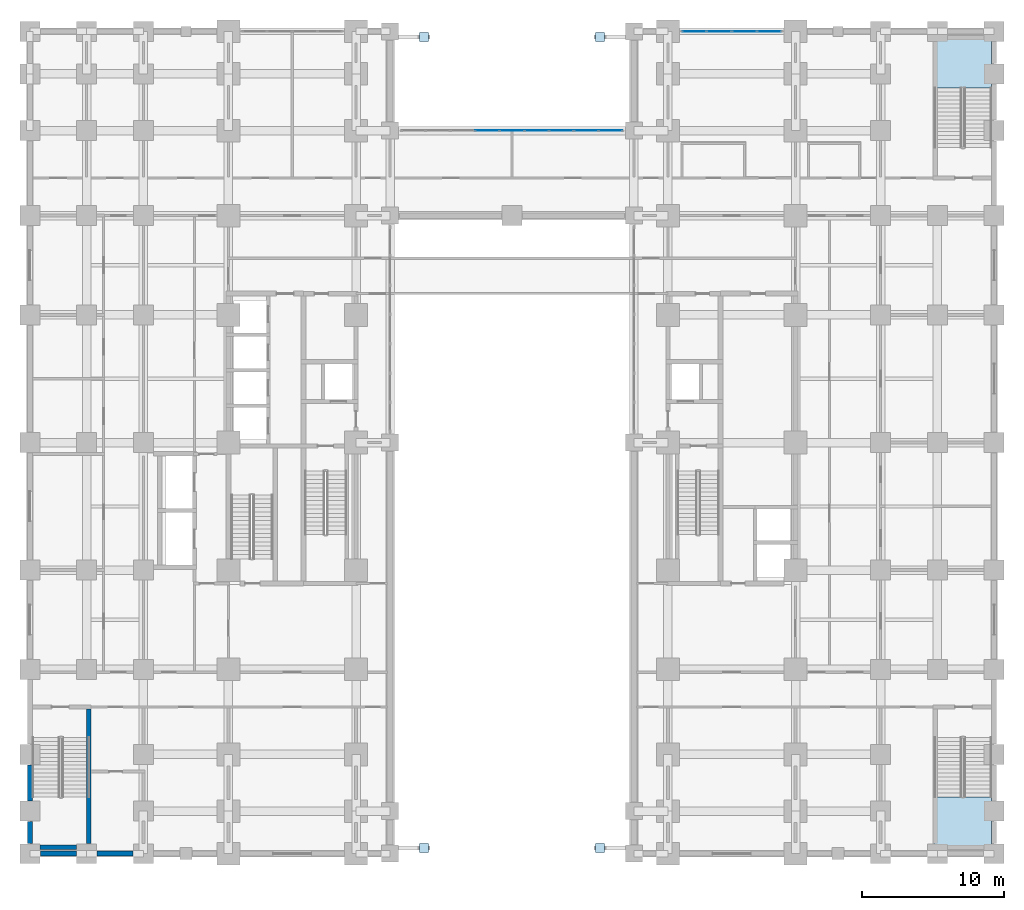
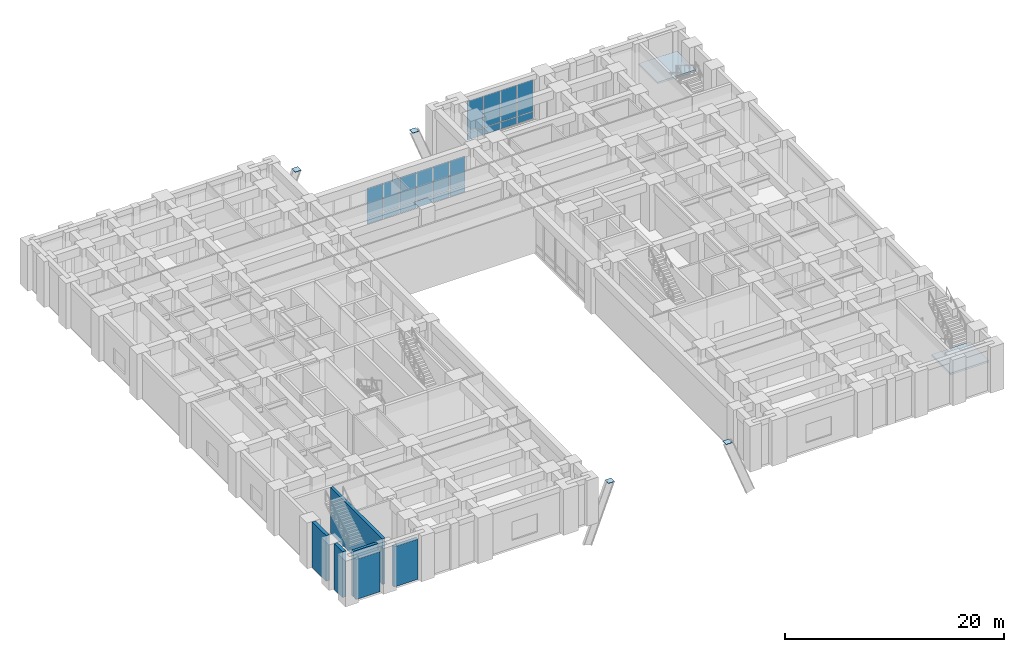
# One storey, part 9 of 23: 24 plates, 6 walls, 2 slabs, 4 elements without a shape of their own.
"""IFC4 building model written with IfcOpenShell, lengths in metres."""

from ifc_helpers import new_model, si_unit, direction, frame, frame_2d, origin, origin_2d, place, context, subcontext, project, spatial, polyline, rectangle, outline, extrude, material, layer, layer_set, type_object, element, aggregate, save


model = new_model("IFC4")

# Units and contexts
model_context = context("Model", 3, precision=1e-05, world=origin(), true_north=direction((0.0, 1.0)))
body_context = subcontext(model_context, "Body", "Model", "MODEL_VIEW")
ifc_project = project(units=[si_unit("LENGTHUNIT", "METRE"), si_unit("AREAUNIT", "SQUARE_METRE"), si_unit("VOLUMEUNIT", "CUBIC_METRE"), si_unit("PLANEANGLEUNIT", "RADIAN"), si_unit("MASSUNIT", "GRAM", prefix="KILO")], contexts=[model_context])

# Site, building, storey
site_placement = place(None, origin())
site = spatial("IfcSite", under=ifc_project, at=site_placement, CompositionType="ELEMENT")
building_placement = place(site_placement, origin())
building = spatial("IfcBuilding", under=site, at=building_placement, Name="Zulmaris Gate Convention Tower", CompositionType="ELEMENT")
storey_placement = place(building_placement, frame((0.0, 0.0, 10.8798828125)))
storey = spatial("IfcBuildingStorey", under=building, at=storey_placement, Name="L02", CompositionType="ELEMENT", Elevation=10.8798828125)

# Curtain wall, plates
ifc_material_1 = material(Name="Anodised Aluminium", Category="aluminium")
curtain_wall_type = type_object("IfcCurtainWallType", Name="CW-03", PredefinedType="NOTDEFINED", material=ifc_material_1)
curtain_wall_1_placement = place(storey_placement, origin())
curtain_wall_1 = element("IfcCurtainWall", 1, at=curtain_wall_1_placement, inside=storey, type_object=curtain_wall_type, Name="CW-03 CW03-L02-N11_0", PredefinedType="NOTDEFINED")
ifc_material_2 = material(Name="Low-E Double Glazing", Category="glass")
ifc_layer_1 = layer(ifc_material_2, 0.028076171875, Name="Low-E Double Glazing")
ifc_layer_set_1 = layer_set([ifc_layer_1], Name="Low-E Double Glazing")
plate_type_1 = type_object("IfcPlateType", Name="CW-03-VISION", PredefinedType="CURTAIN_PANEL", material=ifc_layer_set_1)
plate_1_placement = place(storey_placement, frame((18.13623046875, 29.0, 0.0751953125), z_axis=(0.0, 0.0, 1.0), x_axis=(-1.0, 0.0, 0.0)))
plate_1 = element("IfcPlate", 2, at=plate_1_placement, type_object=plate_type_1, Name="CW-03 panel 1.1", PredefinedType="CURTAIN_PANEL", context=body_context, shape_type="SweptSolid", body=[
    extrude(rectangle(XDim=1.657470703125, YDim=0.028076171875, at=origin_2d()), origin(), (0.0, 0.0, 1.0), 0.737548828125),
])
plate_2_placement = place(storey_placement, frame((18.13623046875, 29.0, 0.8876953125), z_axis=(0.0, 0.0, 1.0), x_axis=(-1.0, 0.0, 0.0)))
plate_2 = element("IfcPlate", 3, at=plate_2_placement, type_object=plate_type_1, Name="CW-03 panel 1.2", PredefinedType="CURTAIN_PANEL", context=body_context, shape_type="SweptSolid", body=[
    extrude(rectangle(XDim=1.657470703125, YDim=0.028076171875, at=origin_2d()), origin(), (0.0, 0.0, 1.0), 3.519775390625),
])
plate_3_placement = place(storey_placement, frame((16.385009765625, 29.0, 0.0751953125), z_axis=(0.0, 0.0, 1.0), x_axis=(-1.0, 0.0, 0.0)))
plate_3 = element("IfcPlate", 4, at=plate_3_placement, type_object=plate_type_1, Name="CW-03 panel 2.1", PredefinedType="CURTAIN_PANEL", context=body_context, shape_type="SweptSolid", body=[
    extrude(rectangle(XDim=1.695068359375, YDim=0.028076171875, at=origin_2d()), origin(), (0.0, 0.0, 1.0), 0.737548828125),
])
plate_4_placement = place(storey_placement, frame((16.385009765625, 29.0, 0.8876953125), z_axis=(0.0, 0.0, 1.0), x_axis=(-1.0, 0.0, 0.0)))
plate_4 = element("IfcPlate", 5, at=plate_4_placement, type_object=plate_type_1, Name="CW-03 panel 2.2", PredefinedType="CURTAIN_PANEL", context=body_context, shape_type="SweptSolid", body=[
    extrude(rectangle(XDim=1.695068359375, YDim=0.028076171875, at=origin_2d()), origin(), (0.0, 0.0, 1.0), 3.519775390625),
])
plate_5_placement = place(storey_placement, frame((14.614990234375, 29.0, 0.0751953125), z_axis=(0.0, 0.0, 1.0), x_axis=(-1.0, 0.0, 0.0)))
plate_5 = element("IfcPlate", 6, at=plate_5_placement, type_object=plate_type_1, Name="CW-03 panel 3.1", PredefinedType="CURTAIN_PANEL", context=body_context, shape_type="SweptSolid", body=[
    extrude(rectangle(XDim=1.695068359375, YDim=0.028076171875, at=origin_2d()), origin(), (0.0, 0.0, 1.0), 0.737548828125),
])
plate_6_placement = place(storey_placement, frame((14.614990234375, 29.0, 0.8876953125), z_axis=(0.0, 0.0, 1.0), x_axis=(-1.0, 0.0, 0.0)))
plate_6 = element("IfcPlate", 7, at=plate_6_placement, type_object=plate_type_1, Name="CW-03 panel 3.2", PredefinedType="CURTAIN_PANEL", context=body_context, shape_type="SweptSolid", body=[
    extrude(rectangle(XDim=1.695068359375, YDim=0.028076171875, at=origin_2d()), origin(), (0.0, 0.0, 1.0), 3.519775390625),
])
plate_7_placement = place(storey_placement, frame((12.86376953125, 29.0, 0.0751953125), z_axis=(0.0, 0.0, 1.0), x_axis=(-1.0, 0.0, 0.0)))
plate_7 = element("IfcPlate", 8, at=plate_7_placement, type_object=plate_type_1, Name="CW-03 panel 4.1", PredefinedType="CURTAIN_PANEL", context=body_context, shape_type="SweptSolid", body=[
    extrude(rectangle(XDim=1.657470703125, YDim=0.028076171875, at=origin_2d()), origin(), (0.0, 0.0, 1.0), 0.737548828125),
])
plate_8_placement = place(storey_placement, frame((12.86376953125, 29.0, 0.8876953125), z_axis=(0.0, 0.0, 1.0), x_axis=(-1.0, 0.0, 0.0)))
plate_8 = element("IfcPlate", 9, at=plate_8_placement, type_object=plate_type_1, Name="CW-03 panel 4.2", PredefinedType="CURTAIN_PANEL", context=body_context, shape_type="SweptSolid", body=[
    extrude(rectangle(XDim=1.657470703125, YDim=0.028076171875, at=origin_2d()), origin(), (0.0, 0.0, 1.0), 3.519775390625),
])
aggregate(curtain_wall_1, [plate_1, plate_2, plate_3, plate_4, plate_5, plate_6, plate_7, plate_8])

curtain_wall_2_placement = place(storey_placement, origin())
curtain_wall_2 = element("IfcCurtainWall", 10, at=curtain_wall_2_placement, inside=storey, type_object=curtain_wall_type, Name="CW-03 CW03-L02-NARCH_0", PredefinedType="NOTDEFINED")
plate_9_placement = place(storey_placement, frame((6.9501953125, 22.0, 0.0751953125), z_axis=(0.0, 0.0, 1.0), x_axis=(-1.0, 0.0, 0.0)))
plate_9 = element("IfcPlate", 11, at=plate_9_placement, type_object=plate_type_1, Name="CW-03 panel 1.1", PredefinedType="CURTAIN_PANEL", context=body_context, shape_type="SweptSolid", body=[
    extrude(rectangle(XDim=1.629638671875, YDim=0.028076171875, at=origin_2d()), origin(), (0.0, 0.0, 1.0), 0.737548828125),
])
plate_10_placement = place(storey_placement, frame((6.9501953125, 22.0, 0.8876953125), z_axis=(0.0, 0.0, 1.0), x_axis=(-1.0, 0.0, 0.0)))
plate_10 = element("IfcPlate", 12, at=plate_10_placement, type_object=plate_type_1, Name="CW-03 panel 1.2", PredefinedType="CURTAIN_PANEL", context=body_context, shape_type="SweptSolid", body=[
    extrude(rectangle(XDim=1.629638671875, YDim=0.028076171875, at=origin_2d()), origin(), (0.0, 0.0, 1.0), 3.169677734375),
])
plate_11_placement = place(storey_placement, frame((5.2265625, 22.0, 0.0751953125), z_axis=(0.0, 0.0, 1.0), x_axis=(-1.0, 0.0, 0.0)))
plate_11 = element("IfcPlate", 13, at=plate_11_placement, type_object=plate_type_1, Name="CW-03 panel 2.1", PredefinedType="CURTAIN_PANEL", context=body_context, shape_type="SweptSolid", body=[
    extrude(rectangle(XDim=1.667236328125, YDim=0.028076171875, at=origin_2d()), origin(), (0.0, 0.0, 1.0), 0.737548828125),
])
plate_12_placement = place(storey_placement, frame((5.2265625, 22.0, 0.8876953125), z_axis=(0.0, 0.0, 1.0), x_axis=(-1.0, 0.0, 0.0)))
plate_12 = element("IfcPlate", 14, at=plate_12_placement, type_object=plate_type_1, Name="CW-03 panel 2.2", PredefinedType="CURTAIN_PANEL", context=body_context, shape_type="SweptSolid", body=[
    extrude(rectangle(XDim=1.667236328125, YDim=0.028076171875, at=origin_2d()), origin(), (0.0, 0.0, 1.0), 3.169677734375),
])
plate_13_placement = place(storey_placement, frame((3.484375, 22.0, 0.0751953125), z_axis=(0.0, 0.0, 1.0), x_axis=(-1.0, 0.0, 0.0)))
plate_13 = element("IfcPlate", 15, at=plate_13_placement, type_object=plate_type_1, Name="CW-03 panel 3.1", PredefinedType="CURTAIN_PANEL", context=body_context, shape_type="SweptSolid", body=[
    extrude(rectangle(XDim=1.667236328125, YDim=0.028076171875, at=origin_2d()), origin(), (0.0, 0.0, 1.0), 0.737548828125),
])
plate_14_placement = place(storey_placement, frame((3.484375, 22.0, 0.8876953125), z_axis=(0.0, 0.0, 1.0), x_axis=(-1.0, 0.0, 0.0)))
plate_14 = element("IfcPlate", 16, at=plate_14_placement, type_object=plate_type_1, Name="CW-03 panel 3.2", PredefinedType="CURTAIN_PANEL", context=body_context, shape_type="SweptSolid", body=[
    extrude(rectangle(XDim=1.667236328125, YDim=0.028076171875, at=origin_2d()), origin(), (0.0, 0.0, 1.0), 3.169677734375),
])
plate_15_placement = place(storey_placement, frame((1.7421875, 22.0, 0.0751953125), z_axis=(0.0, 0.0, 1.0), x_axis=(-1.0, 0.0, 0.0)))
plate_15 = element("IfcPlate", 17, at=plate_15_placement, type_object=plate_type_1, Name="CW-03 panel 4.1", PredefinedType="CURTAIN_PANEL", context=body_context, shape_type="SweptSolid", body=[
    extrude(rectangle(XDim=1.667236328125, YDim=0.028076171875, at=origin_2d()), origin(), (0.0, 0.0, 1.0), 0.737548828125),
])
plate_16_placement = place(storey_placement, frame((1.7421875, 22.0, 0.8876953125), z_axis=(0.0, 0.0, 1.0), x_axis=(-1.0, 0.0, 0.0)))
plate_16 = element("IfcPlate", 18, at=plate_16_placement, type_object=plate_type_1, Name="CW-03 panel 4.2", PredefinedType="CURTAIN_PANEL", context=body_context, shape_type="SweptSolid", body=[
    extrude(rectangle(XDim=1.667236328125, YDim=0.028076171875, at=origin_2d()), origin(), (0.0, 0.0, 1.0), 3.169677734375),
])
plate_17_placement = place(storey_placement, frame((0.0, 22.0, 0.0751953125), z_axis=(0.0, 0.0, 1.0), x_axis=(-1.0, 0.0, 0.0)))
plate_17 = element("IfcPlate", 19, at=plate_17_placement, type_object=plate_type_1, Name="CW-03 panel 5.1", PredefinedType="CURTAIN_PANEL", context=body_context, shape_type="SweptSolid", body=[
    extrude(rectangle(XDim=1.667236328125, YDim=0.028076171875, at=origin_2d()), origin(), (0.0, 0.0, 1.0), 0.737548828125),
])
plate_18_placement = place(storey_placement, frame((0.0, 22.0, 0.8876953125), z_axis=(0.0, 0.0, 1.0), x_axis=(-1.0, 0.0, 0.0)))
plate_18 = element("IfcPlate", 20, at=plate_18_placement, type_object=plate_type_1, Name="CW-03 panel 5.2", PredefinedType="CURTAIN_PANEL", context=body_context, shape_type="SweptSolid", body=[
    extrude(rectangle(XDim=1.667236328125, YDim=0.028076171875, at=origin_2d()), origin(), (0.0, 0.0, 1.0), 3.169677734375),
])
plate_19_placement = place(storey_placement, frame((-1.7421875, 22.0, 0.0751953125), z_axis=(0.0, 0.0, 1.0), x_axis=(-1.0, 0.0, 0.0)))
plate_19 = element("IfcPlate", 21, at=plate_19_placement, type_object=plate_type_1, Name="CW-03 panel 6.1", PredefinedType="CURTAIN_PANEL", context=body_context, shape_type="SweptSolid", body=[
    extrude(rectangle(XDim=1.667236328125, YDim=0.028076171875, at=origin_2d()), origin(), (0.0, 0.0, 1.0), 0.737548828125),
])
plate_20_placement = place(storey_placement, frame((-1.7421875, 22.0, 0.8876953125), z_axis=(0.0, 0.0, 1.0), x_axis=(-1.0, 0.0, 0.0)))
plate_20 = element("IfcPlate", 22, at=plate_20_placement, type_object=plate_type_1, Name="CW-03 panel 6.2", PredefinedType="CURTAIN_PANEL", context=body_context, shape_type="SweptSolid", body=[
    extrude(rectangle(XDim=1.667236328125, YDim=0.028076171875, at=origin_2d()), origin(), (0.0, 0.0, 1.0), 3.169677734375),
])
aggregate(curtain_wall_2, [plate_9, plate_10, plate_11, plate_12, plate_13, plate_14, plate_15, plate_16, plate_17, plate_18, plate_19, plate_20])

# Plates
ifc_material_3 = material(Name="Steel S460", Category="steel")
ifc_layer_2 = layer(ifc_material_3, 0.034912109375, Name="Steel S460")
ifc_layer_set_2 = layer_set([ifc_layer_2], Name="Steel S460")
plate_type_2 = type_object("IfcPlateType", Name="NP-GUS-650", PredefinedType="USERDEFINED", material=ifc_layer_set_2)
for number, where, z_axis, x_axis, name in (
    (23, (-6.199951171875, -28.60009765625, 3.40283203125), (0.0, 0.0, 1.0), (1.0, 0.0, 0.0), "L02 Steel Node Plate ARCH-RIB-S-1-GPB"),
    (24, (6.199951171875, -28.60009765625, 3.40283203125), (0.0, 0.0, 1.0), (1.0, 0.0, 0.0), "L02 Steel Node Plate ARCH-RIB-S-5-GPB"),
    (25, (-6.199951171875, 28.60009765625, 3.40283203125), (0.0, 0.0, 1.0), (1.0, 0.0, 0.0), "L02 Steel Node Plate ARCH-RIB-N-1-GPB"),
    (26, (6.199951171875, 28.60009765625, 3.40283203125), (0.0, 0.0, 1.0), (1.0, 0.0, 0.0), "L02 Steel Node Plate ARCH-RIB-N-5-GPB"),
):
    element("IfcPlate", number, at=place(storey_placement, frame(where, z_axis=z_axis, x_axis=x_axis)), inside=storey, type_object=plate_type_2, Name=name, ObjectType="GUSSET PLATE", PredefinedType="USERDEFINED", context=body_context, shape_type="SweptSolid", body=[
        extrude(rectangle(XDim=0.64990234375, YDim=0.64990234375, at=origin_2d()), origin(), (0.0, 0.0, 1.0), 0.034912109375),
    ])

# Stair, slab
ifc_material_4 = material(Name="Concrete C45/55", Category="concrete")
stair_type = type_object("IfcStairType", Name="ST-POD-DOGLEG", PredefinedType="HALF_TURN_STAIR", material=ifc_material_4)
stair_1_placement = place(storey_placement, origin())
stair_1 = element("IfcStair", 27, at=stair_1_placement, inside=storey, type_object=stair_type, Name="L02 Podium Exit Stair ST-5", PredefinedType="HALF_TURN_STAIR")
ifc_layer_3 = layer(ifc_material_4, 0.199951171875, Name="Concrete C45/55")
ifc_layer_set_3 = layer_set([ifc_layer_3], Name="Concrete C45/55")
slab_type = type_object("IfcSlabType", Name="SL-LND-200", PredefinedType="LANDING", material=ifc_layer_set_3)
slab_1_placement = place(storey_placement, frame((0.0, 0.0, 2.52001953125)))
slab_1 = element("IfcSlab", 28, at=slab_1_placement, type_object=slab_type, Name="ST-5 landing 1", PredefinedType="LANDING", context=body_context, shape_type="SweptSolid", body=[
    extrude(outline(polyline([(33.830078125, 25.0), (33.830078125, 28.449951171875), (29.780029296875, 28.449951171875), (29.780029296875, 25.0), (33.830078125, 25.0)])), origin(), (0.0, 0.0, 1.0), 0.2001953125),
])
aggregate(stair_1, [slab_1])

stair_2_placement = place(storey_placement, origin())
stair_2 = element("IfcStair", 29, at=stair_2_placement, inside=storey, type_object=stair_type, Name="L02 Podium Exit Stair ST-6", PredefinedType="HALF_TURN_STAIR")
slab_2_placement = place(storey_placement, frame((0.0, 0.0, 2.52001953125)))
slab_2 = element("IfcSlab", 30, at=slab_2_placement, type_object=slab_type, Name="ST-6 landing 1", PredefinedType="LANDING", context=body_context, shape_type="SweptSolid", body=[
    extrude(outline(polyline([(29.780029296875, -25.0), (29.780029296875, -28.449951171875), (33.830078125, -28.449951171875), (33.830078125, -25.0), (29.780029296875, -25.0)])), origin(), (0.0, 0.0, 1.0), 0.2001953125),
])
aggregate(stair_2, [slab_2])

# Walls
ifc_material_5 = material(Name="Concrete C50/60", Category="concrete")
ifc_layer_4 = layer(ifc_material_5, 0.300048828125, Name="Concrete C50/60")
ifc_layer_set_4 = layer_set([ifc_layer_4], Name="Concrete C50/60")
wall_type_1 = type_object("IfcWallType", Name="CORE-300", PredefinedType="SHEAR", material=ifc_layer_set_4)
wall_1_placement = place(storey_placement, frame((-33.2958984375, -28.550048828125, 0.0), z_axis=(0.0, 0.0, 1.0), x_axis=(1.0, 0.0, 0.0)))
element("IfcWall", 31, at=wall_1_placement, inside=storey, type_object=wall_type_1, Name="WL-L02-001", PredefinedType="SHEAR", context=body_context, shape_type="SweptSolid", body=[
    extrude(rectangle(XDim=2.591796875, YDim=0.300048828125, at=frame_2d((1.2958984375, 0.0))), origin(), (0.0, 0.0, 1.0), 5.09033203125),
])
wall_2_placement = place(storey_placement, frame((-29.85009765625, -28.2958984375, 0.0), z_axis=(0.0, 0.0, 1.0), x_axis=(0.0, 1.0, 0.0)))
element("IfcWall", 32, at=wall_2_placement, inside=storey, type_object=wall_type_1, Name="WL-L02-066", PredefinedType="SHEAR", context=body_context, shape_type="SweptSolid", body=[
    extrude(rectangle(XDim=9.493896484375, YDim=0.300048828125, at=frame_2d((4.7470703125, 0.0))), origin(), (0.0, 0.0, 1.0), 5.09033203125),
])
ifc_material_6 = material(Name="Precast concrete C45/55", Category="concrete")
ifc_layer_5 = layer(ifc_material_6, 0.35009765625, Name="Precast concrete C45/55")
ifc_layer_set_5 = layer_set([ifc_layer_5], Name="Precast concrete C45/55")
wall_type_2 = type_object("IfcWallType", Name="PRECAST-POD-350", PredefinedType="STANDARD", material=ifc_layer_set_5)
for number, where, z_axis, x_axis, name in (
    (33, (-33.27001953125, -29.0, 0.0), (0.0, 0.0, 1.0), (1.0, 0.0, 0.0), "EW-L02-S--340_0"),
    (34, (-29.27001953125, -29.0, 0.0), (0.0, 0.0, 1.0), (1.0, 0.0, 0.0), "EW-L02-S--300_0"),
):
    element("IfcWall", number, at=place(storey_placement, frame(where, z_axis=z_axis, x_axis=x_axis)), inside=storey, type_object=wall_type_2, Name=name, PredefinedType="STANDARD", context=body_context, shape_type="SweptSolid", body=[
        extrude(rectangle(XDim=2.5400390625, YDim=0.35009765625, at=frame_2d((1.27001953125, 0.0))), origin(), (0.0, 0.0, 1.0), 4.482177734375),
    ])
wall_3_placement = place(storey_placement, frame((-34.0, -28.27001953125, 0.0), z_axis=(0.0, 0.0, 1.0), x_axis=(0.0, 1.0, 0.0)))
element("IfcWall", 35, at=wall_3_placement, inside=storey, type_object=wall_type_2, Name="EW-L02-W--29_0", PredefinedType="STANDARD", context=body_context, shape_type="SweptSolid", body=[
    extrude(rectangle(XDim=1.5400390625, YDim=0.35009765625, at=frame_2d((0.77001953125, 0.0))), origin(), (0.0, 0.0, 1.0), 5.09033203125),
])
wall_4_placement = place(storey_placement, frame((-34.0, -25.27001953125, 0.0), z_axis=(0.0, 0.0, 1.0), x_axis=(0.0, 1.0, 0.0)))
element("IfcWall", 36, at=wall_4_placement, inside=storey, type_object=wall_type_2, Name="EW-L02-W--26_0", PredefinedType="STANDARD", context=body_context, shape_type="SweptSolid", body=[
    extrude(rectangle(XDim=2.5400390625, YDim=0.35009765625, at=frame_2d((1.27001953125, 0.0))), origin(), (0.0, 0.0, 1.0), 5.09033203125),
])

save(model, "model.ifc")
